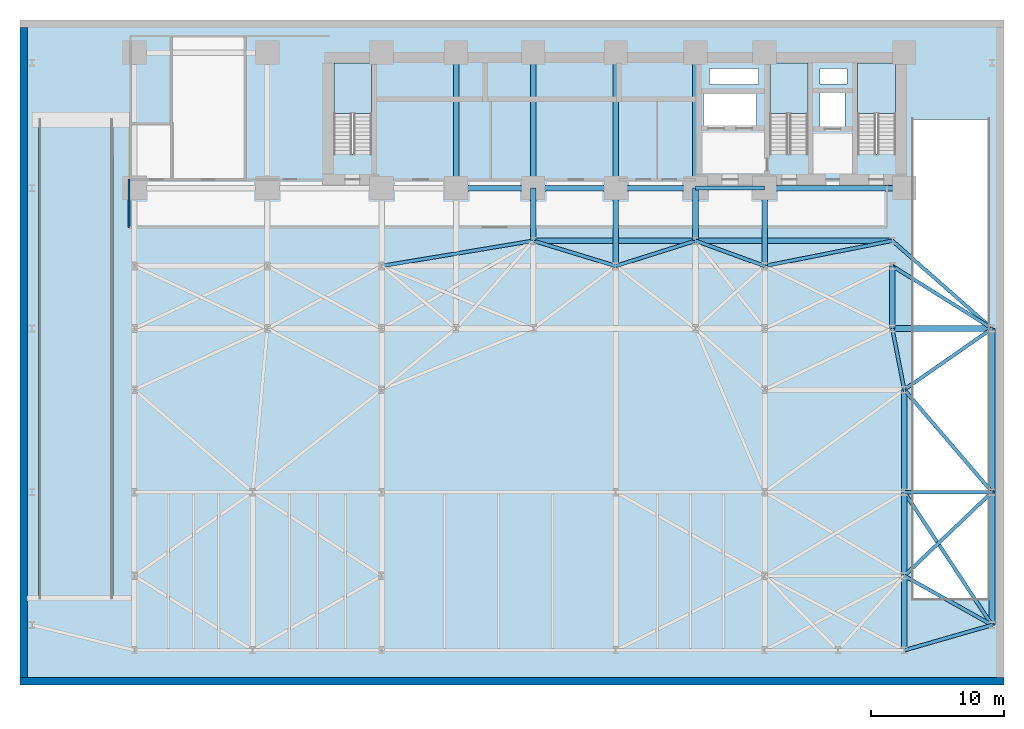
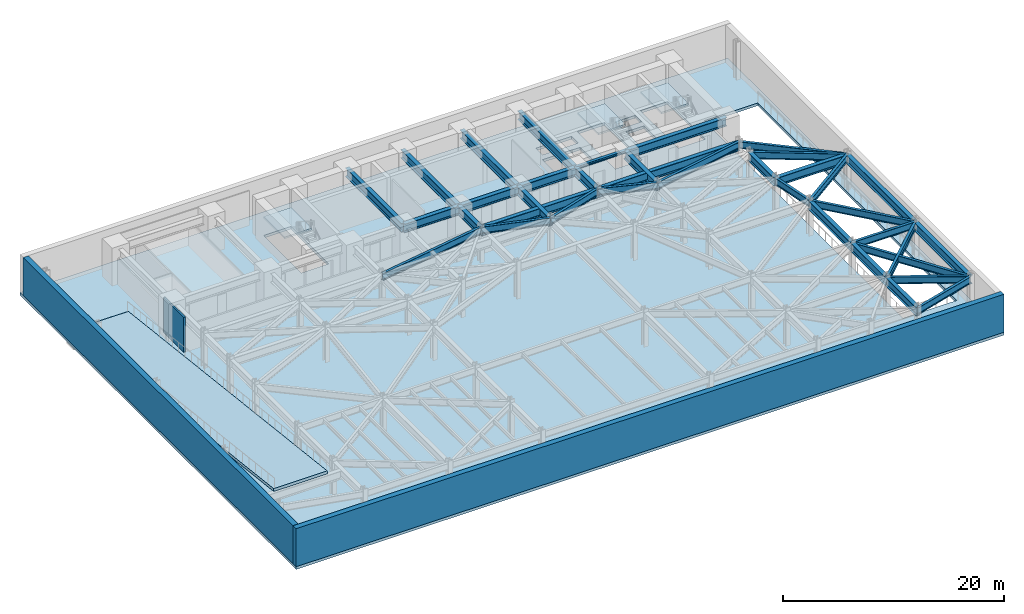
# One storey, part 3 of 11: 37 beams, 5 slabs, 3 walls, 3 elements without a shape of their own.
"""IFC4 building model written with IfcOpenShell, lengths in metres."""

from ifc_helpers import new_model, si_unit, direction, frame, frame_2d, origin, origin_2d, place, context, subcontext, project, spatial, polyline, rectangle, i_section, outline, extrude, material, layer, layer_set, material_profile, profile_set, type_object, element, aggregate, save


model = new_model("IFC4")

# Units and contexts
model_context = context("Model", 3, precision=1e-05, world=origin(), true_north=direction((0.0, 1.0)))
body_context = subcontext(model_context, "Body", "Model", "MODEL_VIEW")
ifc_project = project(units=[si_unit("LENGTHUNIT", "METRE"), si_unit("AREAUNIT", "SQUARE_METRE"), si_unit("VOLUMEUNIT", "CUBIC_METRE"), si_unit("PLANEANGLEUNIT", "RADIAN"), si_unit("MASSUNIT", "GRAM", prefix="KILO")], contexts=[model_context])

# Site, building, storey
site_placement = place(None, origin())
site = spatial("IfcSite", under=ifc_project, at=site_placement, CompositionType="ELEMENT")
building_placement = place(site_placement, origin())
building = spatial("IfcBuilding", under=site, at=building_placement, Name="Kravanh Interchange Tower", CompositionType="ELEMENT")
storey_placement = place(building_placement, frame((0.0, 0.0, -4.199951171875)))
storey = spatial("IfcBuildingStorey", under=building, at=storey_placement, Name="B1", CompositionType="ELEMENT", Elevation=-4.199951171875)

# Beams
ifc_material_1 = material(Name="Structural Steel S450", Category="steel")
ifc_material_profile_1 = material_profile(ifc_material_1, i_section(OverallWidth=0.423095703125, OverallDepth=0.947998046875, WebThickness=0.02392578125, FlangeThickness=0.042724609375, FilletRadius=0.028076171875, at=origin_2d()), Name="W36X302")
ifc_profile_set_1 = profile_set([ifc_material_profile_1], Name="Structural Steel S450")
beam_type_1 = type_object("IfcBeamType", Name="Floor Beam W36X302 Structural Steel S450", PredefinedType="BEAM", material=ifc_profile_set_1)
beam_1_placement = place(storey_placement, frame((66.5, 2.60009765625, 3.3759765625), z_axis=(0.0, 1.0, 0.0), x_axis=(-1.0, 0.0, 0.0)))
element("IfcBeam", 1, at=beam_1_placement, inside=storey, type_object=beam_type_1, Name="B1 Primary Floor Girder 20", PredefinedType="BEAM", context=body_context, shape_type="SweptSolid", body=[
    extrude(i_section(OverallWidth=0.423095703125, OverallDepth=0.947998046875, WebThickness=0.02392578125, FlangeThickness=0.042724609375, FilletRadius=0.028076171875, at=origin_2d()), origin(), (0.0, 0.0, 1.0), 5.599853515625),
])
beam_2_placement = place(storey_placement, frame((66.5, 8.199951171875, 3.3759765625), z_axis=(0.0, 1.0, 0.0), x_axis=(-1.0, 0.0, 0.0)))
element("IfcBeam", 2, at=beam_2_placement, inside=storey, type_object=beam_type_1, Name="B1 Primary Floor Girder 33", PredefinedType="BEAM", context=body_context, shape_type="SweptSolid", body=[
    extrude(i_section(OverallWidth=0.423095703125, OverallDepth=0.947998046875, WebThickness=0.02392578125, FlangeThickness=0.042724609375, FilletRadius=0.028076171875, at=origin_2d()), origin(), (0.0, 0.0, 1.0), 6.300048828125),
])
beam_3_placement = place(storey_placement, frame((66.5, 14.5, 3.3759765625), z_axis=(0.0, 1.0, 0.0), x_axis=(-1.0, 0.0, 0.0)))
element("IfcBeam", 3, at=beam_3_placement, inside=storey, type_object=beam_type_1, Name="B1 Primary Floor Girder 54", PredefinedType="BEAM", context=body_context, shape_type="SweptSolid", body=[
    extrude(i_section(OverallWidth=0.423095703125, OverallDepth=0.947998046875, WebThickness=0.02392578125, FlangeThickness=0.042724609375, FilletRadius=0.028076171875, at=origin_2d()), origin(), (0.0, 0.0, 1.0), 7.699951171875),
])
beam_4_placement = place(storey_placement, frame((65.60009765625, 26.800048828125, 3.3759765625), z_axis=(0.0, 1.0, 0.0), x_axis=(-1.0, 0.0, 0.0)))
element("IfcBeam", 4, at=beam_4_placement, inside=storey, type_object=beam_type_1, Name="B1 Primary Floor Girder 101", PredefinedType="BEAM", context=body_context, shape_type="SweptSolid", body=[
    extrude(i_section(OverallWidth=0.423095703125, OverallDepth=0.947998046875, WebThickness=0.02392578125, FlangeThickness=0.042724609375, FilletRadius=0.028076171875, at=origin_2d()), origin(), (0.0, 0.0, 1.0), 4.699951171875),
])
beam_5_placement = place(storey_placement, frame((65.60009765625, 26.800048828125, 3.3759765625), z_axis=(1.0, 0.0, 0.0), x_axis=(0.0, 1.0, 0.0)))
element("IfcBeam", 5, at=beam_5_placement, inside=storey, type_object=beam_type_1, Name="B1 Primary Floor Girder 102", PredefinedType="BEAM", context=body_context, shape_type="SweptSolid", body=[
    extrude(i_section(OverallWidth=0.423095703125, OverallDepth=0.947998046875, WebThickness=0.02392578125, FlangeThickness=0.042724609375, FilletRadius=0.028076171875, at=origin_2d()), origin(), (0.0, 0.0, 1.0), 7.5),
])
for number, where, z_axis, x_axis, name in (
    (6, (44.800048828125, 31.5, 3.3759765625), (0.0, 1.0, 0.0), (-1.0, 0.0, 0.0), "B1 Primary Floor Girder 113"),
    (7, (56.0, 31.5, 3.3759765625), (0.0, 1.0, 0.0), (-1.0, 0.0, 0.0), "B1 Primary Floor Girder 118"),
):
    element("IfcBeam", number, at=place(storey_placement, frame(where, z_axis=z_axis, x_axis=x_axis)), inside=storey, type_object=beam_type_1, Name=name, PredefinedType="BEAM", context=body_context, shape_type="SweptSolid", body=[
        extrude(i_section(OverallWidth=0.423095703125, OverallDepth=0.947998046875, WebThickness=0.02392578125, FlangeThickness=0.042724609375, FilletRadius=0.028076171875, at=origin_2d()), origin(), (0.0, 0.0, 1.0), 5.85009765625),
    ])
beam_6_placement = place(storey_placement, frame((73.10009765625, 4.5, 3.3759765625), z_axis=(0.0, 1.0, 0.0), x_axis=(-1.0, 0.0, 0.0)))
element("IfcBeam", 8, at=beam_6_placement, inside=storey, type_object=beam_type_1, Name="B1 Primary Floor Girder 127", PredefinedType="BEAM", context=body_context, shape_type="SweptSolid", body=[
    extrude(i_section(OverallWidth=0.423095703125, OverallDepth=0.947998046875, WebThickness=0.02392578125, FlangeThickness=0.042724609375, FilletRadius=0.028076171875, at=origin_2d()), origin(), (0.0, 0.0, 1.0), 10.0),
])
beam_7_placement = place(storey_placement, frame((73.10009765625, 14.5, 3.3759765625), z_axis=(0.0, 1.0, 0.0), x_axis=(-1.0, 0.0, 0.0)))
element("IfcBeam", 9, at=beam_7_placement, inside=storey, type_object=beam_type_1, Name="B1 Primary Floor Girder 128", PredefinedType="BEAM", context=body_context, shape_type="SweptSolid", body=[
    extrude(i_section(OverallWidth=0.423095703125, OverallDepth=0.947998046875, WebThickness=0.02392578125, FlangeThickness=0.042724609375, FilletRadius=0.028076171875, at=origin_2d()), origin(), (0.0, 0.0, 1.0), 12.300048828125),
])
beam_8_placement = place(storey_placement, frame((38.60009765625, 33.39990234375, 3.3759765625), z_axis=(0.0, 1.0, 0.0), x_axis=(-1.0, 0.0, 0.0)))
element("IfcBeam", 10, at=beam_8_placement, inside=storey, type_object=beam_type_1, Name="B1 Primary Floor Girder 130", PredefinedType="BEAM", context=body_context, shape_type="SweptSolid", body=[
    extrude(i_section(OverallWidth=0.423095703125, OverallDepth=0.947998046875, WebThickness=0.02392578125, FlangeThickness=0.042724609375, FilletRadius=0.028076171875, at=origin_2d()), origin(), (0.0, 0.0, 1.0), 3.9501953125),
])
beam_9_placement = place(storey_placement, frame((38.60009765625, 33.39990234375, 3.3759765625), z_axis=(1.0, 0.0, 0.0), x_axis=(0.0, 1.0, 0.0)))
element("IfcBeam", 11, at=beam_9_placement, inside=storey, type_object=beam_type_1, Name="B1 Primary Floor Girder 131", PredefinedType="BEAM", context=body_context, shape_type="SweptSolid", body=[
    extrude(i_section(OverallWidth=0.423095703125, OverallDepth=0.947998046875, WebThickness=0.02392578125, FlangeThickness=0.042724609375, FilletRadius=0.028076171875, at=origin_2d()), origin(), (0.0, 0.0, 1.0), 12.199951171875),
])
beam_10_placement = place(storey_placement, frame((50.800048828125, 33.39990234375, 3.3759765625), z_axis=(0.0, 1.0, 0.0), x_axis=(-1.0, 0.0, 0.0)))
element("IfcBeam", 12, at=beam_10_placement, inside=storey, type_object=beam_type_1, Name="B1 Primary Floor Girder 132", PredefinedType="BEAM", context=body_context, shape_type="SweptSolid", body=[
    extrude(i_section(OverallWidth=0.423095703125, OverallDepth=0.947998046875, WebThickness=0.02392578125, FlangeThickness=0.042724609375, FilletRadius=0.028076171875, at=origin_2d()), origin(), (0.0, 0.0, 1.0), 3.9501953125),
])
beam_11_placement = place(storey_placement, frame((50.800048828125, 33.39990234375, 3.3759765625), z_axis=(1.0, 0.0, 0.0), x_axis=(0.0, 1.0, 0.0)))
element("IfcBeam", 13, at=beam_11_placement, inside=storey, type_object=beam_type_1, Name="B1 Primary Floor Girder 133", PredefinedType="BEAM", context=body_context, shape_type="SweptSolid", body=[
    extrude(i_section(OverallWidth=0.423095703125, OverallDepth=0.947998046875, WebThickness=0.02392578125, FlangeThickness=0.042724609375, FilletRadius=0.028076171875, at=origin_2d()), origin(), (0.0, 0.0, 1.0), 14.800048828125),
])
beam_12_placement = place(storey_placement, frame((66.5, 37.35009765625, 3.3759765625), z_axis=(-1.0, 0.0, 0.0), x_axis=(0.0, -1.0, 0.0)))
element("IfcBeam", 14, at=beam_12_placement, inside=storey, type_object=beam_type_1, Name="B1 Primary Floor Girder 138", PredefinedType="BEAM", context=body_context, shape_type="SweptSolid", body=[
    extrude(i_section(OverallWidth=0.423095703125, OverallDepth=0.947998046875, WebThickness=0.02392578125, FlangeThickness=0.042724609375, FilletRadius=0.028076171875, at=origin_2d()), origin(), (0.0, 0.0, 1.0), 10.5),
])
beam_13_placement = place(storey_placement, frame((50.800048828125, 47.550048828125, 3.3759765625), z_axis=(0.0, -1.0, 0.0), x_axis=(1.0, 0.0, 0.0)))
element("IfcBeam", 15, at=beam_13_placement, inside=storey, type_object=beam_type_1, Name="B1 Primary Floor Girder 141", PredefinedType="BEAM", context=body_context, shape_type="SweptSolid", body=[
    extrude(i_section(OverallWidth=0.423095703125, OverallDepth=0.947998046875, WebThickness=0.02392578125, FlangeThickness=0.042724609375, FilletRadius=0.028076171875, at=origin_2d()), origin(), (0.0, 0.0, 1.0), 10.199951171875),
])
beam_14_placement = place(storey_placement, frame((50.800048828125, 37.35009765625, 3.3759765625), z_axis=(-1.0, 0.0, 0.0), x_axis=(0.0, -1.0, 0.0)))
element("IfcBeam", 16, at=beam_14_placement, inside=storey, type_object=beam_type_1, Name="B1 Primary Floor Girder 142", PredefinedType="BEAM", context=body_context, shape_type="SweptSolid", body=[
    extrude(i_section(OverallWidth=0.423095703125, OverallDepth=0.947998046875, WebThickness=0.02392578125, FlangeThickness=0.042724609375, FilletRadius=0.028076171875, at=origin_2d()), origin(), (0.0, 0.0, 1.0), 6.0),
])
beam_15_placement = place(storey_placement, frame((44.800048828125, 37.35009765625, 3.3759765625), z_axis=(-1.0, 0.0, 0.0), x_axis=(0.0, -1.0, 0.0)))
element("IfcBeam", 17, at=beam_15_placement, inside=storey, type_object=beam_type_1, Name="B1 Primary Floor Girder 143", PredefinedType="BEAM", context=body_context, shape_type="SweptSolid", body=[
    extrude(i_section(OverallWidth=0.423095703125, OverallDepth=0.947998046875, WebThickness=0.02392578125, FlangeThickness=0.042724609375, FilletRadius=0.028076171875, at=origin_2d()), origin(), (0.0, 0.0, 1.0), 6.199951171875),
])
beam_16_placement = place(storey_placement, frame((44.800048828125, 37.35009765625, 3.3759765625), z_axis=(0.0, 1.0, 0.0), x_axis=(-1.0, 0.0, 0.0)))
element("IfcBeam", 18, at=beam_16_placement, inside=storey, type_object=beam_type_1, Name="B1 Primary Floor Girder 144", PredefinedType="BEAM", context=body_context, shape_type="SweptSolid", body=[
    extrude(i_section(OverallWidth=0.423095703125, OverallDepth=0.947998046875, WebThickness=0.02392578125, FlangeThickness=0.042724609375, FilletRadius=0.028076171875, at=origin_2d()), origin(), (0.0, 0.0, 1.0), 10.199951171875),
])
beam_17_placement = place(storey_placement, frame((38.60009765625, 37.35009765625, 3.3759765625), z_axis=(-1.0, 0.0, 0.0), x_axis=(0.0, -1.0, 0.0)))
element("IfcBeam", 19, at=beam_17_placement, inside=storey, type_object=beam_type_1, Name="B1 Primary Floor Girder 146", PredefinedType="BEAM", context=body_context, shape_type="SweptSolid", body=[
    extrude(i_section(OverallWidth=0.423095703125, OverallDepth=0.947998046875, WebThickness=0.02392578125, FlangeThickness=0.042724609375, FilletRadius=0.028076171875, at=origin_2d()), origin(), (0.0, 0.0, 1.0), 5.800048828125),
])
for number, where, z_axis, x_axis, name in (
    (20, (38.60009765625, 37.35009765625, 3.3759765625), (0.0, 1.0, 0.0), (-1.0, 0.0, 0.0), "B1 Primary Floor Girder 147"),
    (21, (32.800048828125, 37.35009765625, 3.3759765625), (0.0, 1.0, 0.0), (-1.0, 0.0, 0.0), "B1 Primary Floor Girder 150"),
):
    element("IfcBeam", number, at=place(storey_placement, frame(where, z_axis=z_axis, x_axis=x_axis)), inside=storey, type_object=beam_type_1, Name=name, PredefinedType="BEAM", context=body_context, shape_type="SweptSolid", body=[
        extrude(i_section(OverallWidth=0.423095703125, OverallDepth=0.947998046875, WebThickness=0.02392578125, FlangeThickness=0.042724609375, FilletRadius=0.028076171875, at=origin_2d()), origin(), (0.0, 0.0, 1.0), 10.199951171875),
    ])
ifc_material_2 = material(Name="Structural Steel S355", Category="steel")
ifc_material_profile_2 = material_profile(ifc_material_2, i_section(OverallWidth=0.304931640625, OverallDepth=0.306884765625, WebThickness=0.010009765625, FlangeThickness=0.015380859375, FilletRadius=0.014892578125, at=origin_2d()), Name="W12X65")
ifc_profile_set_2 = profile_set([ifc_material_profile_2], Name="Structural Steel S355")
beam_type_2 = type_object("IfcBeamType", Name="Floor Lintel W12X65 Structural Steel S355", PredefinedType="LINTEL", material=ifc_profile_set_2)
beam_18_placement = place(storey_placement, frame((50.800048828125, 37.35009765625, 3.696533203125), z_axis=(1.0, 0.0, 0.0), x_axis=(0.0, 1.0, 0.0)))
element("IfcBeam", 22, at=beam_18_placement, inside=storey, type_object=beam_type_2, Name="B1 Core Coupling Lintel 1", PredefinedType="LINTEL", context=body_context, shape_type="SweptSolid", body=[
    extrude(i_section(OverallWidth=0.304931640625, OverallDepth=0.306884765625, WebThickness=0.010009765625, FlangeThickness=0.015380859375, FilletRadius=0.014892578125, at=origin_2d()), origin(), (0.0, 0.0, 1.0), 5.199951171875),
])
ifc_material_3 = material(Name="Structural Steel S355", Category="steel")
ifc_material_profile_3 = material_profile(ifc_material_3, i_section(OverallWidth=0.26708984375, OverallDepth=0.761962890625, WebThickness=0.014404296875, FlangeThickness=0.021484375, FilletRadius=0.02490234375, at=origin_2d()), Name="W30X116")
ifc_profile_set_3 = profile_set([ifc_material_profile_3], Name="Structural Steel S355")
beam_type_3 = type_object("IfcBeamType", Name="Floor Spandrel W30X116 Structural Steel S355", PredefinedType="SPANDREL", material=ifc_profile_set_3)
beam_19_placement = place(storey_placement, frame((66.5, 2.60009765625, 3.468994140625), z_axis=(0.960977451506, 0.27662671183, 0.0), x_axis=(-0.27662671183, 0.960977451506, 0.0)))
element("IfcBeam", 23, at=beam_19_placement, inside=storey, type_object=beam_type_3, Name="B1 Perimeter Spandrel 21", PredefinedType="SPANDREL", context=body_context, shape_type="SweptSolid", body=[
    extrude(i_section(OverallWidth=0.26708984375, OverallDepth=0.761962890625, WebThickness=0.014404296875, FlangeThickness=0.021484375, FilletRadius=0.02490234375, at=origin_2d()), origin(), (0.0, 0.0, 1.0), 6.8681640625),
])
beam_20_placement = place(storey_placement, frame((66.5, 8.199951171875, 3.468994140625), z_axis=(0.872286391466, -0.488995348918, 0.0), x_axis=(0.488995348918, 0.872286391466, 0.0)))
element("IfcBeam", 24, at=beam_20_placement, inside=storey, type_object=beam_type_3, Name="B1 Perimeter Spandrel 34", PredefinedType="SPANDREL", context=body_context, shape_type="SweptSolid", body=[
    extrude(i_section(OverallWidth=0.26708984375, OverallDepth=0.761962890625, WebThickness=0.014404296875, FlangeThickness=0.021484375, FilletRadius=0.02490234375, at=origin_2d()), origin(), (0.0, 0.0, 1.0), 7.56640625),
])
beam_21_placement = place(storey_placement, frame((66.5, 8.199951171875, 3.468994140625), z_axis=(0.723357973995, 0.690473201115, 0.0), x_axis=(-0.690473201115, 0.723357973995, 0.0)))
element("IfcBeam", 25, at=beam_21_placement, inside=storey, type_object=beam_type_3, Name="B1 Perimeter Spandrel 35", PredefinedType="SPANDREL", context=body_context, shape_type="SweptSolid", body=[
    extrude(i_section(OverallWidth=0.26708984375, OverallDepth=0.761962890625, WebThickness=0.014404296875, FlangeThickness=0.021484375, FilletRadius=0.02490234375, at=origin_2d()), origin(), (0.0, 0.0, 1.0), 9.124267578125),
])
beam_22_placement = place(storey_placement, frame((66.5, 14.5, 3.468994140625), z_axis=(1.0, 0.0, 0.0), x_axis=(0.0, 1.0, 0.0)))
element("IfcBeam", 26, at=beam_22_placement, inside=storey, type_object=beam_type_3, Name="B1 Perimeter Spandrel 53", PredefinedType="SPANDREL", context=body_context, shape_type="SweptSolid", body=[
    extrude(i_section(OverallWidth=0.26708984375, OverallDepth=0.761962890625, WebThickness=0.014404296875, FlangeThickness=0.021484375, FilletRadius=0.02490234375, at=origin_2d()), origin(), (0.0, 0.0, 1.0), 6.60009765625),
])
beam_23_placement = place(storey_placement, frame((66.5, 14.5, 3.468994140625), z_axis=(0.550847885697, -0.834605659472, 0.0), x_axis=(0.834605659472, 0.550847885697, 0.0)))
element("IfcBeam", 27, at=beam_23_placement, inside=storey, type_object=beam_type_3, Name="B1 Perimeter Spandrel 55", PredefinedType="SPANDREL", context=body_context, shape_type="SweptSolid", body=[
    extrude(i_section(OverallWidth=0.26708984375, OverallDepth=0.761962890625, WebThickness=0.014404296875, FlangeThickness=0.021484375, FilletRadius=0.02490234375, at=origin_2d()), origin(), (0.0, 0.0, 1.0), 11.981689453125),
])
beam_24_placement = place(storey_placement, frame((66.5, 22.199951171875, 3.468994140625), z_axis=(-0.191987614224, 0.981397348674, 0.0), x_axis=(-0.981397348674, -0.191987614224, 0.0)))
element("IfcBeam", 28, at=beam_24_placement, inside=storey, type_object=beam_type_3, Name="B1 Perimeter Spandrel 69", PredefinedType="SPANDREL", context=body_context, shape_type="SweptSolid", body=[
    extrude(i_section(OverallWidth=0.26708984375, OverallDepth=0.761962890625, WebThickness=0.014404296875, FlangeThickness=0.021484375, FilletRadius=0.02490234375, at=origin_2d()), origin(), (0.0, 0.0, 1.0), 4.687255859375),
])
beam_25_placement = place(storey_placement, frame((66.5, 22.199951171875, 3.468994140625), z_axis=(0.820396441235, 0.571795137447, 0.0), x_axis=(-0.571795137447, 0.820396441235, 0.0)))
element("IfcBeam", 29, at=beam_25_placement, inside=storey, type_object=beam_type_3, Name="B1 Perimeter Spandrel 70", PredefinedType="SPANDREL", context=body_context, shape_type="SweptSolid", body=[
    extrude(i_section(OverallWidth=0.26708984375, OverallDepth=0.761962890625, WebThickness=0.014404296875, FlangeThickness=0.021484375, FilletRadius=0.02490234375, at=origin_2d()), origin(), (0.0, 0.0, 1.0), 8.044921875),
])
beam_26_placement = place(storey_placement, frame((66.5, 22.199951171875, 3.468994140625), z_axis=(0.65079930347, -0.759249805139, 0.0), x_axis=(0.759249805139, 0.65079930347, 0.0)))
element("IfcBeam", 30, at=beam_26_placement, inside=storey, type_object=beam_type_3, Name="B1 Perimeter Spandrel 72", PredefinedType="SPANDREL", context=body_context, shape_type="SweptSolid", body=[
    extrude(i_section(OverallWidth=0.26708984375, OverallDepth=0.761962890625, WebThickness=0.014404296875, FlangeThickness=0.021484375, FilletRadius=0.02490234375, at=origin_2d()), origin(), (0.0, 0.0, 1.0), 10.1416015625),
])
beam_27_placement = place(storey_placement, frame((27.199951171875, 31.5, 3.468994140625), z_axis=(0.986395636554, 0.164388710647, 0.0), x_axis=(-0.164388710647, 0.986395636554, 0.0)))
element("IfcBeam", 31, at=beam_27_placement, inside=storey, type_object=beam_type_3, Name="B1 Perimeter Spandrel 111", PredefinedType="SPANDREL", context=body_context, shape_type="SweptSolid", body=[
    extrude(i_section(OverallWidth=0.26708984375, OverallDepth=0.761962890625, WebThickness=0.014404296875, FlangeThickness=0.021484375, FilletRadius=0.02490234375, at=origin_2d()), origin(), (0.0, 0.0, 1.0), 11.557373046875),
])
beam_28_placement = place(storey_placement, frame((44.800048828125, 31.5, 3.468994140625), z_axis=(0.953346691051, 0.301877602122, 0.0), x_axis=(-0.301877602122, 0.953346691051, 0.0)))
element("IfcBeam", 32, at=beam_28_placement, inside=storey, type_object=beam_type_3, Name="B1 Perimeter Spandrel 114", PredefinedType="SPANDREL", context=body_context, shape_type="SweptSolid", body=[
    extrude(i_section(OverallWidth=0.26708984375, OverallDepth=0.761962890625, WebThickness=0.014404296875, FlangeThickness=0.021484375, FilletRadius=0.02490234375, at=origin_2d()), origin(), (0.0, 0.0, 1.0), 6.293701171875),
])
beam_29_placement = place(storey_placement, frame((44.800048828125, 31.5, 3.468994140625), z_axis=(-0.956115397264, 0.292990353279, 0.0), x_axis=(-0.292990353279, -0.956115397264, 0.0)))
element("IfcBeam", 33, at=beam_29_placement, inside=storey, type_object=beam_type_3, Name="B1 Perimeter Spandrel 115", PredefinedType="SPANDREL", context=body_context, shape_type="SweptSolid", body=[
    extrude(i_section(OverallWidth=0.26708984375, OverallDepth=0.761962890625, WebThickness=0.014404296875, FlangeThickness=0.021484375, FilletRadius=0.02490234375, at=origin_2d()), origin(), (0.0, 0.0, 1.0), 6.484619140625),
])
beam_30_placement = place(storey_placement, frame((56.0, 31.5, 3.468994140625), z_axis=(-0.93926957103, 0.343180233896, 0.0), x_axis=(-0.343180233896, -0.93926957103, 0.0)))
element("IfcBeam", 34, at=beam_30_placement, inside=storey, type_object=beam_type_3, Name="B1 Perimeter Spandrel 117", PredefinedType="SPANDREL", context=body_context, shape_type="SweptSolid", body=[
    extrude(i_section(OverallWidth=0.26708984375, OverallDepth=0.761962890625, WebThickness=0.014404296875, FlangeThickness=0.021484375, FilletRadius=0.02490234375, at=origin_2d()), origin(), (0.0, 0.0, 1.0), 5.5361328125),
])
beam_31_placement = place(storey_placement, frame((56.0, 31.5, 3.468994140625), z_axis=(0.980974000807, 0.194139150457, 0.0), x_axis=(-0.194139150457, 0.980974000807, 0.0)))
element("IfcBeam", 35, at=beam_31_placement, inside=storey, type_object=beam_type_3, Name="B1 Perimeter Spandrel 120", PredefinedType="SPANDREL", context=body_context, shape_type="SweptSolid", body=[
    extrude(i_section(OverallWidth=0.26708984375, OverallDepth=0.761962890625, WebThickness=0.014404296875, FlangeThickness=0.021484375, FilletRadius=0.02490234375, at=origin_2d()), origin(), (0.0, 0.0, 1.0), 9.786376953125),
])
beam_32_placement = place(storey_placement, frame((65.60009765625, 31.5, 3.468994140625), z_axis=(0.847365449363, -0.531010164899, 0.0), x_axis=(0.531010164899, 0.847365449363, 0.0)))
element("IfcBeam", 36, at=beam_32_placement, inside=storey, type_object=beam_type_3, Name="B1 Perimeter Spandrel 121", PredefinedType="SPANDREL", context=body_context, shape_type="SweptSolid", body=[
    extrude(i_section(OverallWidth=0.26708984375, OverallDepth=0.761962890625, WebThickness=0.014404296875, FlangeThickness=0.021484375, FilletRadius=0.02490234375, at=origin_2d()), origin(), (0.0, 0.0, 1.0), 8.85107421875),
])
beam_33_placement = place(storey_placement, frame((73.10009765625, 26.800048828125, 3.468994140625), z_axis=(-0.750720788639, 0.660619631487, 0.0), x_axis=(-0.660619631487, -0.750720788639, 0.0)))
element("IfcBeam", 37, at=beam_33_placement, inside=storey, type_object=beam_type_3, Name="B1 Perimeter Spandrel 129", PredefinedType="SPANDREL", context=body_context, shape_type="SweptSolid", body=[
    extrude(i_section(OverallWidth=0.26708984375, OverallDepth=0.761962890625, WebThickness=0.014404296875, FlangeThickness=0.021484375, FilletRadius=0.02490234375, at=origin_2d()), origin(), (0.0, 0.0, 1.0), 9.990478515625),
])

# Slab
ifc_material_4 = material(Name="Concrete C50/60", Category="concrete")
ifc_layer_1 = layer(ifc_material_4, 0.300048828125)
ifc_layer_set_1 = layer_set([ifc_layer_1], Name="Composite Floor Slab Concrete C50/60 300mm")
slab_type_1 = type_object("IfcSlabType", Name="Composite Floor Slab Concrete C50/60 300mm", PredefinedType="FLOOR", material=ifc_layer_set_1)
slab_1_placement = place(storey_placement, frame((0.0, 0.0, -0.300048828125)))
element("IfcSlab", 38, at=slab_1_placement, inside=storey, type_object=slab_type_1, Name="B1 Structural Floor Slab", PredefinedType="FLOOR", context=body_context, shape_type="SweptSolid", body=[
    extrude(outline(polyline([(0.0, 0.0), (74.0, 0.0), (74.0, 50.0), (0.0, 50.0), (0.0, 0.0)]), holes=[polyline([(65.85009765625, 39.925048828125), (65.85009765625, 46.75), (63.0, 46.75), (63.0, 39.925048828125), (65.85009765625, 39.925048828125)]), polyline([(59.25, 39.925048828125), (59.25, 46.75), (56.39990234375, 46.75), (56.39990234375, 39.925048828125), (59.25, 39.925048828125)]), polyline([(26.449951171875, 39.925048828125), (26.449951171875, 46.75), (23.60009765625, 46.75), (23.60009765625, 39.925048828125), (26.449951171875, 39.925048828125)]), polyline([(51.419921875, 42.02001953125), (55.3798828125, 42.02001953125), (55.3798828125, 44.47998046875), (51.419921875, 44.47998046875), (51.419921875, 42.02001953125)]), polyline([(60.179931640625, 41.97998046875), (62.06005859375, 41.97998046875), (62.06005859375, 44.52001953125), (60.179931640625, 44.52001953125), (60.179931640625, 41.97998046875)]), polyline([(67.199951171875, 6.5), (72.800048828125, 6.5), (72.800048828125, 42.5), (67.199951171875, 42.5), (67.199951171875, 6.5)]), polyline([(1.3798828125, 39.800048828125), (7.02001953125, 39.800048828125), (7.02001953125, 42.52001953125), (1.3798828125, 42.52001953125), (1.3798828125, 39.800048828125)]), polyline([(60.14990234375, 45.199951171875), (62.199951171875, 45.199951171875), (62.199951171875, 46.35009765625), (60.14990234375, 46.35009765625), (60.14990234375, 45.199951171875)]), polyline([(51.85009765625, 45.14990234375), (55.550048828125, 45.14990234375), (55.550048828125, 46.35009765625), (51.85009765625, 46.35009765625), (51.85009765625, 45.14990234375)])]), origin(), (0.0, 0.0, 1.0), 0.300048828125),
])

# Stair, slab
ifc_material_5 = material(Name="Concrete C50/60", Category="concrete")
stair_type = type_object("IfcStairType", Name="Core Fire Exit Dogleg Stair Concrete C50/60", PredefinedType="HALF_TURN_STAIR", material=ifc_material_5)
stair_1_placement = place(storey_placement, origin())
stair_1 = element("IfcStair", 39, at=stair_1_placement, inside=storey, type_object=stair_type, Name="B1 Exit Stair ST1", PredefinedType="HALF_TURN_STAIR")
ifc_material_6 = material(Name="Concrete C50/60", Category="concrete")
ifc_layer_2 = layer(ifc_material_6, 0.199951171875)
ifc_layer_set_2 = layer_set([ifc_layer_2], Name="Concrete C50/60 Stair Half-Landing Slab 200mm")
slab_type_2 = type_object("IfcSlabType", Name="Concrete C50/60 Stair Half-Landing Slab 200mm", PredefinedType="LANDING", material=ifc_layer_set_2)
slab_2_placement = place(storey_placement, frame((0.0, 0.0, 1.89990234375)))
slab_2 = element("IfcSlab", 40, at=slab_2_placement, type_object=slab_type_2, Name="ST1 landing 1", PredefinedType="LANDING", context=body_context, shape_type="SweptSolid", body=[
    extrude(outline(polyline([(65.85009765625, 42.97998046875), (65.85009765625, 46.75), (63.0, 46.75), (63.0, 42.97998046875), (65.85009765625, 42.97998046875)])), origin(), (0.0, 0.0, 1.0), 0.199951171875),
])
aggregate(stair_1, [slab_2])

stair_2_placement = place(storey_placement, origin())
stair_2 = element("IfcStair", 41, at=stair_2_placement, inside=storey, type_object=stair_type, Name="B1 Exit Stair ST2", PredefinedType="HALF_TURN_STAIR")
slab_3_placement = place(storey_placement, frame((0.0, 0.0, 1.89990234375)))
slab_3 = element("IfcSlab", 42, at=slab_3_placement, type_object=slab_type_2, Name="ST2 landing 1", PredefinedType="LANDING", context=body_context, shape_type="SweptSolid", body=[
    extrude(outline(polyline([(59.25, 42.97998046875), (59.25, 46.75), (56.39990234375, 46.75), (56.39990234375, 42.97998046875), (59.25, 42.97998046875)])), origin(), (0.0, 0.0, 1.0), 0.199951171875),
])
aggregate(stair_2, [slab_3])

stair_3_placement = place(storey_placement, origin())
stair_3 = element("IfcStair", 43, at=stair_3_placement, inside=storey, type_object=stair_type, Name="B1 Exit Stair ST3", PredefinedType="HALF_TURN_STAIR")
slab_4_placement = place(storey_placement, frame((0.0, 0.0, 1.89990234375)))
slab_4 = element("IfcSlab", 44, at=slab_4_placement, type_object=slab_type_2, Name="ST3 landing 1", PredefinedType="LANDING", context=body_context, shape_type="SweptSolid", body=[
    extrude(outline(polyline([(26.449951171875, 42.97998046875), (26.449951171875, 46.75), (23.60009765625, 46.75), (23.60009765625, 42.97998046875), (26.449951171875, 42.97998046875)])), origin(), (0.0, 0.0, 1.0), 0.199951171875),
])
aggregate(stair_3, [slab_4])

# Slab
ifc_material_7 = material(Name="Concrete C50/60", Category="concrete")
ifc_layer_3 = layer(ifc_material_7, 0.300048828125)
ifc_layer_set_3 = layer_set([ifc_layer_3], Name="Vehicle Ramp Structural Slab Concrete C50/60 300mm")
slab_type_3 = type_object("IfcSlabType", Name="Vehicle Ramp Structural Slab Concrete C50/60 300mm", PredefinedType="FLOOR", material=ifc_layer_set_3)
slab_5_placement = place(storey_placement, frame((1.39990234375, 42.5, 0.0), z_axis=(0.0, 0.115879370451, 0.993263294149), x_axis=(1.0, 0.0, 0.0)))
element("IfcSlab", 45, at=slab_5_placement, inside=storey, type_object=slab_type_3, Name="Car park vehicle ramp R2 structural slab (B1 to L00)", PredefinedType="FLOOR", context=body_context, shape_type="SweptSolid", body=[
    extrude(outline(polyline([(0.0, 0.0), (5.60009765625, 0.0), (5.60009765625, -36.24416628708866), (0.0, -36.24416628708866), (0.0, 0.0)])), origin(), (0.0, 0.0, -1.0), 0.300048828125),
])

# Walls
ifc_material_8 = material(Name="Concrete C60/75", Category="concrete")
ifc_layer_4 = layer(ifc_material_8, 0.550048828125)
ifc_layer_set_4 = layer_set([ifc_layer_4], Name="Basement Retaining Wall Concrete C60/75 550mm")
wall_type_1 = type_object("IfcWallType", Name="Basement Retaining Wall Concrete C60/75 550mm", PredefinedType="SOLIDWALL", material=ifc_layer_set_4)
wall_1_placement = place(storey_placement, frame((0.0, 0.27490234375, 0.0), z_axis=(0.0, 0.0, 1.0), x_axis=(1.0, 0.0, 0.0)))
element("IfcWall", 46, at=wall_1_placement, inside=storey, type_object=wall_type_1, Name="B1 Basement Retaining Wall S", PredefinedType="SOLIDWALL", context=body_context, shape_type="SweptSolid", body=[
    extrude(rectangle(XDim=74.0, YDim=0.550048828125, at=frame_2d((37.0, 0.0))), origin(), (0.0, 0.0, 1.0), 4.199951171875),
])
wall_2_placement = place(storey_placement, frame((0.27490234375, 0.570068359375, 0.0), z_axis=(0.0, 0.0, 1.0), x_axis=(0.0, 1.0, 0.0)))
element("IfcWall", 47, at=wall_2_placement, inside=storey, type_object=wall_type_1, Name="B1 Basement Retaining Wall W", PredefinedType="SOLIDWALL", context=body_context, shape_type="SweptSolid", body=[
    extrude(rectangle(XDim=48.85986328125, YDim=0.550048828125, at=frame_2d((24.429931640625, 0.0))), origin(), (0.0, 0.0, 1.0), 4.199951171875),
])
ifc_material_9 = material(Name="Autoclaved Aerated Concrete C30/37 Blockwork", Category="masonry")
ifc_layer_5 = layer(ifc_material_9, 0.179931640625)
ifc_layer_set_5 = layer_set([ifc_layer_5], Name="Fire-Rated Lobby and Corridor Wall Concrete C30/37 180mm")
wall_type_2 = type_object("IfcWallType", Name="Fire-Rated Lobby and Corridor Wall Concrete C30/37 180mm", PredefinedType="STANDARD", material=ifc_layer_set_5)
wall_3_placement = place(storey_placement, frame((8.199951171875, 34.39990234375, 0.0), z_axis=(0.0, 0.0, 1.0), x_axis=(0.0, 1.0, 0.0)))
element("IfcWall", 48, at=wall_3_placement, inside=storey, type_object=wall_type_2, Name="B1 Interior Partition 6", PredefinedType="STANDARD", context=body_context, shape_type="SweptSolid", body=[
    extrude(rectangle(XDim=3.650146484375, YDim=0.179931640625, at=frame_2d((1.8251953125, 0.0))), origin(), (0.0, 0.0, 1.0), 3.849853515625),
])

save(model, "model.ifc")
